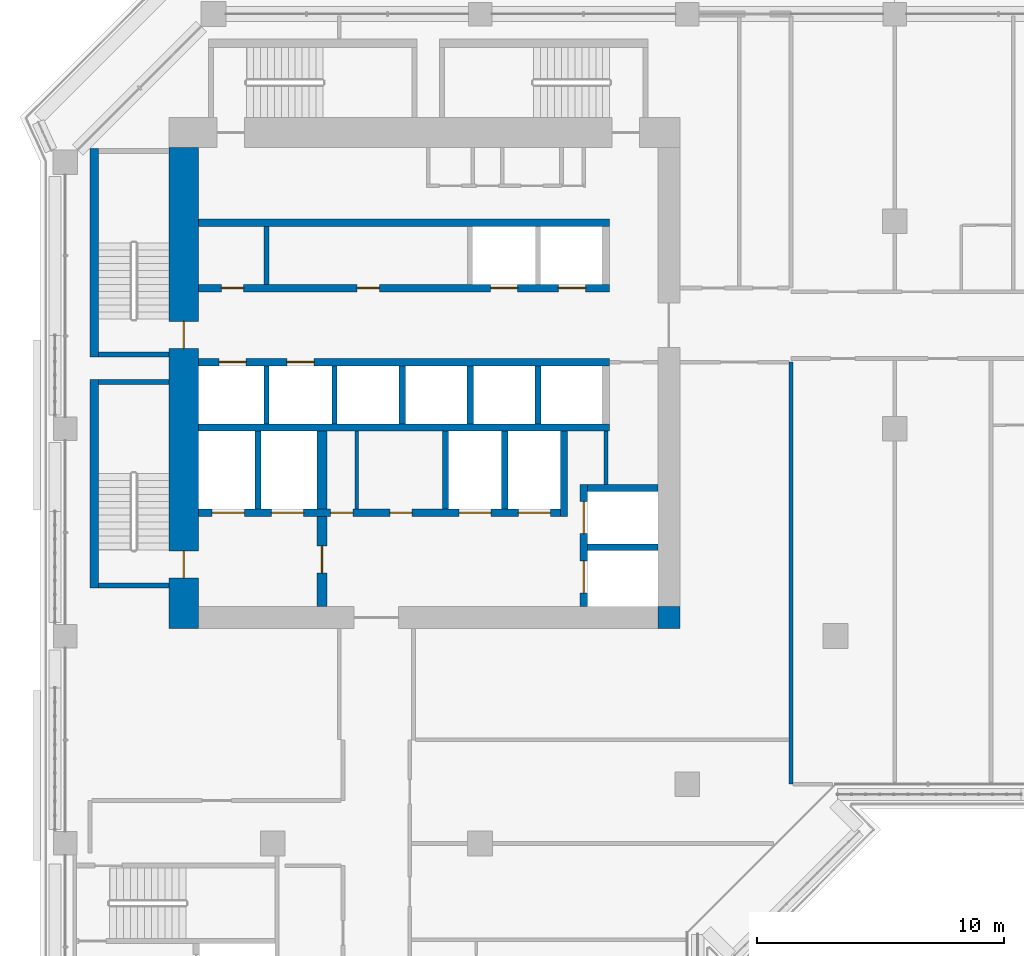
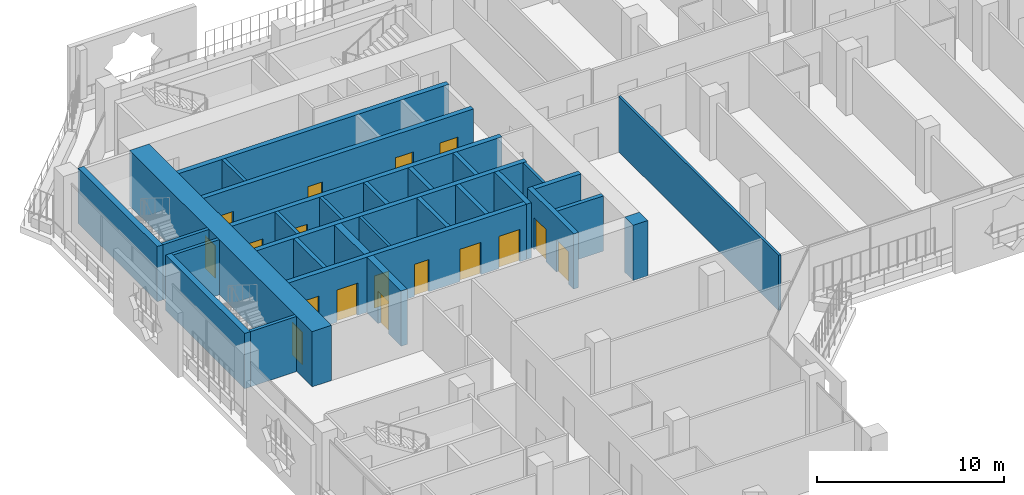
# One storey, part 11 of 21: 30 walls, 17 doors, 17 openings.
"""IFC4 building model written with IfcOpenShell, lengths in metres."""

from ifc_helpers import new_model, si_unit, direction, frame, frame_2d, origin, place, context, subcontext, project, spatial, rectangle, extrude, material, layer, layer_set, type_object, element, fill, save


model = new_model("IFC4")

# Units and contexts
model_context = context("Model", 3, precision=1e-05, world=origin(), true_north=direction((0.0, 1.0)))
body_context = subcontext(model_context, "Body", "Model", "MODEL_VIEW")
ifc_project = project(units=[si_unit("LENGTHUNIT", "METRE"), si_unit("AREAUNIT", "SQUARE_METRE"), si_unit("VOLUMEUNIT", "CUBIC_METRE"), si_unit("PLANEANGLEUNIT", "RADIAN"), si_unit("MASSUNIT", "GRAM", prefix="KILO")], contexts=[model_context])

# Site, building, storey
site_placement = place(None, origin())
site = spatial("IfcSite", under=ifc_project, at=site_placement, CompositionType="ELEMENT")
building_placement = place(site_placement, origin())
building = spatial("IfcBuilding", under=site, at=building_placement, Name="Kawkab Arch Medical Tower", CompositionType="ELEMENT")
storey_placement = place(building_placement, frame((0.0, 0.0, 192.0)))
storey = spatial("IfcBuildingStorey", under=building, at=storey_placement, Name="L44", CompositionType="ELEMENT", Elevation=192.0)

# Wall, openings, doors
ifc_material_1 = material(Name="Concrete C55/67", Category="concrete")
ifc_layer_1 = layer(ifc_material_1, 1.199951171875)
ifc_layer_set_1 = layer_set([ifc_layer_1], Name="Concrete C55/67")
wall_type_1 = type_object("IfcWallType", Name="Core ring wall 1200 C55/67", PredefinedType="SHEAR", material=ifc_layer_set_1)
wall_1_placement = place(storey_placement, frame((4.800048828125, -24.89990234375, 0.0), z_axis=(0.0, 0.0, 1.0), x_axis=(0.0, 1.0, 0.0)))
wall_1 = element("IfcWall", 1, at=wall_1_placement, inside=storey, type_object=wall_type_1, Name="L44 core wall", PredefinedType="SHEAR", context=body_context, shape_type="SweptSolid", body=[
    extrude(rectangle(XDim=19.5, YDim=1.199951171875, at=frame_2d((9.75, 0.0))), origin(), (0.0, 0.0, 1.0), 3.60009765625),
])
opening_1_placement = place(wall_1_placement, frame((11.35009765625, 0.0, 0.0)))
opening_1 = element("IfcOpeningElement", 2, at=opening_1_placement, cuts=wall_1, Name="Opening SD", PredefinedType="OPENING", context=body_context, shape_type="SweptSolid", body=[
    extrude(rectangle(XDim=1.10009765625, YDim=2.10009765625, at=frame_2d((0.550048828125, 1.050048828125))), frame((0.0, 0.60986328125, 0.0), z_axis=(0.0, -1.0, 0.0), x_axis=(1.0, 0.0, 0.0)), (0.0, 0.0, 1.0), 1.219970703125),
])
opening_2_placement = place(wall_1_placement, frame((2.050048828125, 0.0, 0.0)))
opening_2 = element("IfcOpeningElement", 3, at=opening_2_placement, cuts=wall_1, Name="Opening SD", PredefinedType="OPENING", context=body_context, shape_type="SweptSolid", body=[
    extrude(rectangle(XDim=1.10009765625, YDim=2.10009765625, at=frame_2d((0.550048828125, 1.050048828125))), frame((0.0, 0.60986328125, 0.0), z_axis=(0.0, -1.0, 0.0), x_axis=(1.0, 0.0, 0.0)), (0.0, 0.0, 1.0), 1.219970703125),
])
ifc_material_2 = material(Name="Hollow metal fire door leaf")
door_type_1 = type_object("IfcDoorType", Name="Exit stair door 1100", OperationType="SINGLE_SWING_LEFT", PredefinedType="DOOR", material=ifc_material_2)
door_1_placement = place(opening_1_placement, origin())
door_1 = element("IfcDoor", 4, at=door_1_placement, inside=storey, type_object=door_type_1, Name="L44 Exit stair ST1 door", OperationType="SINGLE_SWING_LEFT", OverallHeight=2.10009765625, OverallWidth=1.10009765625, PredefinedType="DOOR", context=body_context, shape_type="SweptSolid", body=[
    extrude(rectangle(XDim=1.10009765625, YDim=2.10009765625, at=frame_2d((0.550048828125, 1.050048828125))), frame((0.0, 0.02490234375, 0.0), z_axis=(0.0, -1.0, 0.0), x_axis=(1.0, 0.0, 0.0)), (0.0, 0.0, 1.0), 0.050048828125),
])
fill(opening_1, door_1)
door_2_placement = place(opening_2_placement, origin())
door_2 = element("IfcDoor", 5, at=door_2_placement, inside=storey, type_object=door_type_1, Name="L44 Exit stair ST2 door", OperationType="SINGLE_SWING_LEFT", OverallHeight=2.10009765625, OverallWidth=1.10009765625, PredefinedType="DOOR", context=body_context, shape_type="SweptSolid", body=[
    extrude(rectangle(XDim=1.10009765625, YDim=2.10009765625, at=frame_2d((0.550048828125, 1.050048828125))), frame((0.0, 0.02490234375, 0.0), z_axis=(0.0, -1.0, 0.0), x_axis=(1.0, 0.0, 0.0)), (0.0, 0.0, 1.0), 0.050048828125),
])
fill(opening_2, door_2)

# Walls
ifc_material_3 = material(Name="Concrete C55/67", Category="concrete")
ifc_layer_2 = layer(ifc_material_3, 0.89990234375)
ifc_layer_set_2 = layer_set([ifc_layer_2], Name="Concrete C55/67")
wall_type_2 = type_object("IfcWallType", Name="Core ring wall 900 C55/67", PredefinedType="SHEAR", material=ifc_layer_set_2)
wall_2_placement = place(storey_placement, frame((24.449951171875, -24.89990234375, 0.0), z_axis=(0.0, 0.0, 1.0), x_axis=(0.0, 1.0, 0.0)))
element("IfcWall", 6, at=wall_2_placement, inside=storey, type_object=wall_type_2, Name="L44 core wall", PredefinedType="SHEAR", context=body_context, shape_type="SweptSolid", body=[
    extrude(rectangle(XDim=0.89990234375, YDim=0.89990234375, at=frame_2d((0.449951171875, 0.0))), origin(), (0.0, 0.0, 1.0), 3.60009765625),
])
ifc_material_4 = material(Name="Gypsum board on steel studs", Category="steel")
ifc_layer_3 = layer(ifc_material_4, 0.14990234375)
ifc_layer_set_3 = layer_set([ifc_layer_3], Name="Gypsum board on steel studs")
wall_type_3 = type_object("IfcWallType", Name="Core room partition 150", PredefinedType="PARTITIONING", material=ifc_layer_set_3)
wall_3_placement = place(storey_placement, frame((21.89990234375, -19.050048828125, 0.0), z_axis=(0.0, 0.0, 1.0), x_axis=(0.0, 1.0, 0.0)))
element("IfcWall", 7, at=wall_3_placement, inside=storey, type_object=wall_type_3, Name="L44 core room partition", PredefinedType="PARTITIONING", context=body_context, shape_type="SweptSolid", body=[
    extrude(rectangle(XDim=2.150146484375, YDim=0.14990234375, at=frame_2d((1.0751953125, 0.0))), origin(), (0.0, 0.0, 1.0), 3.60009765625),
])
wall_4_placement = place(storey_placement, frame((11.800048828125, -20.050048828125, 0.0), z_axis=(0.0, 0.0, 1.0), x_axis=(0.0, 1.0, 0.0)))
element("IfcWall", 8, at=wall_4_placement, inside=storey, type_object=wall_type_3, Name="L44 core room partition", PredefinedType="PARTITIONING", context=body_context, shape_type="SweptSolid", body=[
    extrude(rectangle(XDim=3.150146484375, YDim=0.14990234375, at=frame_2d((1.5751953125, 0.0))), origin(), (0.0, 0.0, 1.0), 3.60009765625),
])
ifc_material_5 = material(Name="Concrete C60/75", Category="concrete")
ifc_layer_4 = layer(ifc_material_5, 0.25)
ifc_layer_set_4 = layer_set([ifc_layer_4], Name="Concrete C60/75")
wall_type_4 = type_object("IfcWallType", Name="Core shear wall 250 C60/75", PredefinedType="SHEAR", material=ifc_layer_set_4)
wall_5_placement = place(storey_placement, frame((21.14990234375, -21.60009765625, 0.0), z_axis=(0.0, 0.0, 1.0), x_axis=(1.0, 0.0, 0.0)))
element("IfcWall", 9, at=wall_5_placement, inside=storey, type_object=wall_type_4, Name="L44 core shear wall", PredefinedType="SHEAR", context=body_context, shape_type="SweptSolid", body=[
    extrude(rectangle(XDim=2.85009765625, YDim=0.25, at=frame_2d((1.425048828125, 0.0))), origin(), (0.0, 0.0, 1.0), 3.60009765625),
])
for number, where, z_axis, x_axis, name in (
    (10, (7.800048828125, -20.050048828125, 0.0), (0.0, 0.0, 1.0), (0.0, 1.0, 0.0), "L44 core shear wall"),
    (11, (15.39990234375, -20.050048828125, 0.0), (0.0, 0.0, 1.0), (0.0, 1.0, 0.0), "L44 core shear wall"),
    (12, (17.800048828125, -20.050048828125, 0.0), (0.0, 0.0, 1.0), (0.0, 1.0, 0.0), "L44 core shear wall"),
):
    element("IfcWall", number, at=place(storey_placement, frame(where, z_axis=z_axis, x_axis=x_axis)), inside=storey, type_object=wall_type_4, Name=name, PredefinedType="SHEAR", context=body_context, shape_type="SweptSolid", body=[
        extrude(rectangle(XDim=3.150146484375, YDim=0.25, at=frame_2d((1.5751953125, 0.0))), origin(), (0.0, 0.0, 1.0), 3.60009765625),
    ])
for number, where, z_axis, x_axis, name in (
    (13, (13.64990234375, -16.60009765625, 0.0), (0.0, 0.0, 1.0), (0.0, 1.0, 0.0), "L44 core shear wall"),
    (14, (16.39990234375, -16.60009765625, 0.0), (0.0, 0.0, 1.0), (0.0, 1.0, 0.0), "L44 core shear wall"),
    (15, (19.14990234375, -16.60009765625, 0.0), (0.0, 0.0, 1.0), (0.0, 1.0, 0.0), "L44 core shear wall"),
):
    element("IfcWall", number, at=place(storey_placement, frame(where, z_axis=z_axis, x_axis=x_axis)), inside=storey, type_object=wall_type_4, Name=name, PredefinedType="SHEAR", context=body_context, shape_type="SweptSolid", body=[
        extrude(rectangle(XDim=2.35009765625, YDim=0.25, at=frame_2d((1.175048828125, 0.0))), origin(), (0.0, 0.0, 1.0), 3.60009765625),
    ])
ifc_material_6 = material(Name="Concrete C60/75", Category="concrete")
ifc_layer_5 = layer(ifc_material_6, 0.300048828125)
ifc_layer_set_5 = layer_set([ifc_layer_5], Name="Concrete C60/75")
wall_type_5 = type_object("IfcWallType", Name="Core shear wall 300 C60/75", PredefinedType="SHEAR", material=ifc_layer_set_5)
wall_6_placement = place(storey_placement, frame((5.39990234375, -8.449951171875, 0.0), z_axis=(0.0, 0.0, 1.0), x_axis=(1.0, 0.0, 0.0)))
element("IfcWall", 16, at=wall_6_placement, inside=storey, type_object=wall_type_5, Name="L44 core shear wall", PredefinedType="SHEAR", context=body_context, shape_type="SweptSolid", body=[
    extrude(rectangle(XDim=16.650146484375, YDim=0.300048828125, at=frame_2d((8.3251953125, 0.0))), origin(), (0.0, 0.0, 1.0), 3.60009765625),
])

# Wall, openings, doors
wall_7_placement = place(storey_placement, frame((5.39990234375, -11.10009765625, 0.0), z_axis=(0.0, 0.0, 1.0), x_axis=(1.0, 0.0, 0.0)))
wall_7 = element("IfcWall", 17, at=wall_7_placement, inside=storey, type_object=wall_type_5, Name="L44 core shear wall", PredefinedType="SHEAR", context=body_context, shape_type="SweptSolid", body=[
    extrude(rectangle(XDim=16.650146484375, YDim=0.300048828125, at=frame_2d((8.3251953125, 0.0))), origin(), (0.0, 0.0, 1.0), 3.60009765625),
])
opening_3_placement = place(wall_7_placement, frame((11.824951171875, 0.0, 0.0)))
opening_3 = element("IfcOpeningElement", 18, at=opening_3_placement, cuts=wall_7, Name="Opening LD1", PredefinedType="OPENING", context=body_context, shape_type="SweptSolid", body=[
    extrude(rectangle(XDim=1.10009765625, YDim=2.10009765625, at=frame_2d((0.550048828125, 1.050048828125))), frame((0.0, 0.159912109375, 0.0), z_axis=(0.0, -1.0, 0.0), x_axis=(1.0, 0.0, 0.0)), (0.0, 0.0, 1.0), 0.320068359375),
])
opening_4_placement = place(wall_7_placement, frame((14.574951171875, 0.0, 0.0)))
opening_4 = element("IfcOpeningElement", 19, at=opening_4_placement, cuts=wall_7, Name="Opening LD1", PredefinedType="OPENING", context=body_context, shape_type="SweptSolid", body=[
    extrude(rectangle(XDim=1.10009765625, YDim=2.10009765625, at=frame_2d((0.550048828125, 1.050048828125))), frame((0.0, 0.159912109375, 0.0), z_axis=(0.0, -1.0, 0.0), x_axis=(1.0, 0.0, 0.0)), (0.0, 0.0, 1.0), 0.320068359375),
])
opening_5_placement = place(wall_7_placement, frame((0.925048828125, 0.0, 0.0)))
opening_5 = element("IfcOpeningElement", 20, at=opening_5_placement, cuts=wall_7, Name="Opening RD", PredefinedType="OPENING", context=body_context, shape_type="SweptSolid", body=[
    extrude(rectangle(XDim=0.89990234375, YDim=2.10009765625, at=frame_2d((0.449951171875, 1.050048828125))), frame((0.0, 0.159912109375, 0.0), z_axis=(0.0, -1.0, 0.0), x_axis=(1.0, 0.0, 0.0)), (0.0, 0.0, 1.0), 0.320068359375),
])
opening_6_placement = place(wall_7_placement, frame((6.425048828125, 0.0, 0.0)))
opening_6 = element("IfcOpeningElement", 21, at=opening_6_placement, cuts=wall_7, Name="Opening RD", PredefinedType="OPENING", context=body_context, shape_type="SweptSolid", body=[
    extrude(rectangle(XDim=0.89990234375, YDim=2.10009765625, at=frame_2d((0.449951171875, 1.050048828125))), frame((0.0, 0.159912109375, 0.0), z_axis=(0.0, -1.0, 0.0), x_axis=(1.0, 0.0, 0.0)), (0.0, 0.0, 1.0), 0.320068359375),
])
ifc_material_7 = material(Name="Hollow metal fire door leaf")
door_type_2 = type_object("IfcDoorType", Name="Core room door 900", OperationType="SINGLE_SWING_LEFT", PredefinedType="DOOR", material=ifc_material_7)
door_3_placement = place(opening_5_placement, origin())
door_3 = element("IfcDoor", 22, at=door_3_placement, inside=storey, type_object=door_type_2, Name="L44 Linen store door", OperationType="SINGLE_SWING_LEFT", OverallHeight=2.10009765625, OverallWidth=0.89990234375, PredefinedType="DOOR", context=body_context, shape_type="SweptSolid", body=[
    extrude(rectangle(XDim=0.89990234375, YDim=2.10009765625, at=frame_2d((0.449951171875, 1.050048828125))), frame((0.0, 0.02490234375, 0.0), z_axis=(0.0, -1.0, 0.0), x_axis=(1.0, 0.0, 0.0)), (0.0, 0.0, 1.0), 0.050048828125),
])
fill(opening_5, door_3)
door_4_placement = place(opening_6_placement, origin())
door_4 = element("IfcDoor", 23, at=door_4_placement, inside=storey, type_object=door_type_2, Name="L44 Housekeeping store door", OperationType="SINGLE_SWING_LEFT", OverallHeight=2.10009765625, OverallWidth=0.89990234375, PredefinedType="DOOR", context=body_context, shape_type="SweptSolid", body=[
    extrude(rectangle(XDim=0.89990234375, YDim=2.10009765625, at=frame_2d((0.449951171875, 1.050048828125))), frame((0.0, 0.02490234375, 0.0), z_axis=(0.0, -1.0, 0.0), x_axis=(1.0, 0.0, 0.0)), (0.0, 0.0, 1.0), 0.050048828125),
])
fill(opening_6, door_4)
ifc_material_8 = material(Name="Stainless steel lift door leaf", Category="steel")
door_type_3 = type_object("IfcDoorType", Name="Lift landing door 1100", OperationType="DOUBLE_DOOR_SLIDING", PredefinedType="DOOR", material=ifc_material_8)
door_5_placement = place(opening_3_placement, origin())
door_5 = element("IfcDoor", 24, at=door_5_placement, inside=storey, type_object=door_type_3, Name="L44 Lift landing door MP1", OperationType="DOUBLE_DOOR_SLIDING", OverallHeight=2.10009765625, OverallWidth=1.10009765625, PredefinedType="DOOR", context=body_context, shape_type="SweptSolid", body=[
    extrude(rectangle(XDim=1.10009765625, YDim=2.10009765625, at=frame_2d((0.550048828125, 1.050048828125))), frame((0.0, 0.02490234375, 0.0), z_axis=(0.0, -1.0, 0.0), x_axis=(1.0, 0.0, 0.0)), (0.0, 0.0, 1.0), 0.050048828125),
])
fill(opening_3, door_5)
door_6_placement = place(opening_4_placement, origin())
door_6 = element("IfcDoor", 25, at=door_6_placement, inside=storey, type_object=door_type_3, Name="L44 Lift landing door MP2", OperationType="DOUBLE_DOOR_SLIDING", OverallHeight=2.10009765625, OverallWidth=1.10009765625, PredefinedType="DOOR", context=body_context, shape_type="SweptSolid", body=[
    extrude(rectangle(XDim=1.10009765625, YDim=2.10009765625, at=frame_2d((0.550048828125, 1.050048828125))), frame((0.0, 0.02490234375, 0.0), z_axis=(0.0, -1.0, 0.0), x_axis=(1.0, 0.0, 0.0)), (0.0, 0.0, 1.0), 0.050048828125),
])
fill(opening_4, door_6)

wall_8_placement = place(storey_placement, frame((5.39990234375, -14.10009765625, 0.0), z_axis=(0.0, 0.0, 1.0), x_axis=(1.0, 0.0, 0.0)))
wall_8 = element("IfcWall", 26, at=wall_8_placement, inside=storey, type_object=wall_type_5, Name="L44 core shear wall", PredefinedType="SHEAR", context=body_context, shape_type="SweptSolid", body=[
    extrude(rectangle(XDim=16.650146484375, YDim=0.300048828125, at=frame_2d((8.3251953125, 0.0))), origin(), (0.0, 0.0, 1.0), 3.60009765625),
])
opening_7_placement = place(wall_8_placement, frame((0.824951171875, 0.0, 0.0)))
opening_7 = element("IfcOpeningElement", 27, at=opening_7_placement, cuts=wall_8, Name="Opening LD1", PredefinedType="OPENING", context=body_context, shape_type="SweptSolid", body=[
    extrude(rectangle(XDim=1.10009765625, YDim=2.10009765625, at=frame_2d((0.550048828125, 1.050048828125))), frame((0.0, 0.159912109375, 0.0), z_axis=(0.0, -1.0, 0.0), x_axis=(1.0, 0.0, 0.0)), (0.0, 0.0, 1.0), 0.320068359375),
])
opening_8_placement = place(wall_8_placement, frame((3.574951171875, 0.0, 0.0)))
opening_8 = element("IfcOpeningElement", 28, at=opening_8_placement, cuts=wall_8, Name="Opening LD1", PredefinedType="OPENING", context=body_context, shape_type="SweptSolid", body=[
    extrude(rectangle(XDim=1.10009765625, YDim=2.10009765625, at=frame_2d((0.550048828125, 1.050048828125))), frame((0.0, 0.159912109375, 0.0), z_axis=(0.0, -1.0, 0.0), x_axis=(1.0, 0.0, 0.0)), (0.0, 0.0, 1.0), 0.320068359375),
])
door_7_placement = place(opening_7_placement, origin())
door_7 = element("IfcDoor", 29, at=door_7_placement, inside=storey, type_object=door_type_3, Name="L44 Lift landing door MP3", OperationType="DOUBLE_DOOR_SLIDING", OverallHeight=2.10009765625, OverallWidth=1.10009765625, PredefinedType="DOOR", context=body_context, shape_type="SweptSolid", body=[
    extrude(rectangle(XDim=1.10009765625, YDim=2.10009765625, at=frame_2d((0.550048828125, 1.050048828125))), frame((0.0, 0.02490234375, 0.0), z_axis=(0.0, -1.0, 0.0), x_axis=(1.0, 0.0, 0.0)), (0.0, 0.0, 1.0), 0.050048828125),
])
fill(opening_7, door_7)
door_8_placement = place(opening_8_placement, origin())
door_8 = element("IfcDoor", 30, at=door_8_placement, inside=storey, type_object=door_type_3, Name="L44 Lift landing door MP4", OperationType="DOUBLE_DOOR_SLIDING", OverallHeight=2.10009765625, OverallWidth=1.10009765625, PredefinedType="DOOR", context=body_context, shape_type="SweptSolid", body=[
    extrude(rectangle(XDim=1.10009765625, YDim=2.10009765625, at=frame_2d((0.550048828125, 1.050048828125))), frame((0.0, 0.02490234375, 0.0), z_axis=(0.0, -1.0, 0.0), x_axis=(1.0, 0.0, 0.0)), (0.0, 0.0, 1.0), 0.050048828125),
])
fill(opening_8, door_8)

# Wall
wall_9_placement = place(storey_placement, frame((5.39990234375, -16.75, 0.0), z_axis=(0.0, 0.0, 1.0), x_axis=(1.0, 0.0, 0.0)))
element("IfcWall", 31, at=wall_9_placement, inside=storey, type_object=wall_type_5, Name="L44 core shear wall", PredefinedType="SHEAR", context=body_context, shape_type="SweptSolid", body=[
    extrude(rectangle(XDim=16.650146484375, YDim=0.300048828125, at=frame_2d((8.3251953125, 0.0))), origin(), (0.0, 0.0, 1.0), 3.60009765625),
])

# Wall, openings, doors
wall_10_placement = place(storey_placement, frame((5.39990234375, -20.199951171875, 0.0), z_axis=(0.0, 0.0, 1.0), x_axis=(1.0, 0.0, 0.0)))
wall_10 = element("IfcWall", 32, at=wall_10_placement, inside=storey, type_object=wall_type_5, Name="L44 core shear wall", PredefinedType="SHEAR", context=body_context, shape_type="SweptSolid", body=[
    extrude(rectangle(XDim=14.650146484375, YDim=0.300048828125, at=frame_2d((7.3251953125, 0.0))), origin(), (0.0, 0.0, 1.0), 3.60009765625),
])
opening_9_placement = place(wall_10_placement, frame((10.550048828125, 0.0, 0.0)))
opening_9 = element("IfcOpeningElement", 33, at=opening_9_placement, cuts=wall_10, Name="Opening LD2", PredefinedType="OPENING", context=body_context, shape_type="SweptSolid", body=[
    extrude(rectangle(XDim=1.300048828125, YDim=2.10009765625, at=frame_2d((0.64990234375, 1.050048828125))), frame((0.0, 0.159912109375, 0.0), z_axis=(0.0, -1.0, 0.0), x_axis=(1.0, 0.0, 0.0)), (0.0, 0.0, 1.0), 0.320068359375),
])
opening_10_placement = place(wall_10_placement, frame((12.949951171875, 0.0, 0.0)))
opening_10 = element("IfcOpeningElement", 34, at=opening_10_placement, cuts=wall_10, Name="Opening LD2", PredefinedType="OPENING", context=body_context, shape_type="SweptSolid", body=[
    extrude(rectangle(XDim=1.300048828125, YDim=2.10009765625, at=frame_2d((0.64990234375, 1.050048828125))), frame((0.0, 0.159912109375, 0.0), z_axis=(0.0, -1.0, 0.0), x_axis=(1.0, 0.0, 0.0)), (0.0, 0.0, 1.0), 0.320068359375),
])
opening_11_placement = place(wall_10_placement, frame((0.550048828125, 0.0, 0.0)))
opening_11 = element("IfcOpeningElement", 35, at=opening_11_placement, cuts=wall_10, Name="Opening LD2", PredefinedType="OPENING", context=body_context, shape_type="SweptSolid", body=[
    extrude(rectangle(XDim=1.300048828125, YDim=2.10009765625, at=frame_2d((0.64990234375, 1.050048828125))), frame((0.0, 0.159912109375, 0.0), z_axis=(0.0, -1.0, 0.0), x_axis=(1.0, 0.0, 0.0)), (0.0, 0.0, 1.0), 0.320068359375),
])
opening_12_placement = place(wall_10_placement, frame((2.949951171875, 0.0, 0.0)))
opening_12 = element("IfcOpeningElement", 36, at=opening_12_placement, cuts=wall_10, Name="Opening LD2", PredefinedType="OPENING", context=body_context, shape_type="SweptSolid", body=[
    extrude(rectangle(XDim=1.300048828125, YDim=2.10009765625, at=frame_2d((0.64990234375, 1.050048828125))), frame((0.0, 0.159912109375, 0.0), z_axis=(0.0, -1.0, 0.0), x_axis=(1.0, 0.0, 0.0)), (0.0, 0.0, 1.0), 0.320068359375),
])
opening_13_placement = place(wall_10_placement, frame((5.35009765625, 0.0, 0.0)))
opening_13 = element("IfcOpeningElement", 37, at=opening_13_placement, cuts=wall_10, Name="Opening RD", PredefinedType="OPENING", context=body_context, shape_type="SweptSolid", body=[
    extrude(rectangle(XDim=0.89990234375, YDim=2.10009765625, at=frame_2d((0.449951171875, 1.050048828125))), frame((0.0, 0.159912109375, 0.0), z_axis=(0.0, -1.0, 0.0), x_axis=(1.0, 0.0, 0.0)), (0.0, 0.0, 1.0), 0.320068359375),
])
opening_14_placement = place(wall_10_placement, frame((7.75, 0.0, 0.0)))
opening_14 = element("IfcOpeningElement", 38, at=opening_14_placement, cuts=wall_10, Name="Opening RD", PredefinedType="OPENING", context=body_context, shape_type="SweptSolid", body=[
    extrude(rectangle(XDim=0.89990234375, YDim=2.10009765625, at=frame_2d((0.449951171875, 1.050048828125))), frame((0.0, 0.159912109375, 0.0), z_axis=(0.0, -1.0, 0.0), x_axis=(1.0, 0.0, 0.0)), (0.0, 0.0, 1.0), 0.320068359375),
])
door_9_placement = place(opening_13_placement, origin())
door_9 = element("IfcDoor", 39, at=door_9_placement, inside=storey, type_object=door_type_2, Name="L44 Equipment store door", OperationType="SINGLE_SWING_LEFT", OverallHeight=2.10009765625, OverallWidth=0.89990234375, PredefinedType="DOOR", context=body_context, shape_type="SweptSolid", body=[
    extrude(rectangle(XDim=0.89990234375, YDim=2.10009765625, at=frame_2d((0.449951171875, 1.050048828125))), frame((0.0, 0.02490234375, 0.0), z_axis=(0.0, -1.0, 0.0), x_axis=(1.0, 0.0, 0.0)), (0.0, 0.0, 1.0), 0.050048828125),
])
fill(opening_13, door_9)
door_10_placement = place(opening_14_placement, origin())
door_10 = element("IfcDoor", 40, at=door_10_placement, inside=storey, type_object=door_type_2, Name="L44 Medication store door", OperationType="SINGLE_SWING_LEFT", OverallHeight=2.10009765625, OverallWidth=0.89990234375, PredefinedType="DOOR", context=body_context, shape_type="SweptSolid", body=[
    extrude(rectangle(XDim=0.89990234375, YDim=2.10009765625, at=frame_2d((0.449951171875, 1.050048828125))), frame((0.0, 0.02490234375, 0.0), z_axis=(0.0, -1.0, 0.0), x_axis=(1.0, 0.0, 0.0)), (0.0, 0.0, 1.0), 0.050048828125),
])
fill(opening_14, door_10)
ifc_material_9 = material(Name="Stainless steel lift door leaf", Category="steel")
door_type_4 = type_object("IfcDoorType", Name="Lift landing door 1300", OperationType="DOUBLE_DOOR_SLIDING", PredefinedType="DOOR", material=ifc_material_9)
door_11_placement = place(opening_9_placement, origin())
door_11 = element("IfcDoor", 41, at=door_11_placement, inside=storey, type_object=door_type_4, Name="L44 Lift landing door BD3", OperationType="DOUBLE_DOOR_SLIDING", OverallHeight=2.10009765625, OverallWidth=1.300048828125, PredefinedType="DOOR", context=body_context, shape_type="SweptSolid", body=[
    extrude(rectangle(XDim=1.300048828125, YDim=2.10009765625, at=frame_2d((0.64990234375, 1.050048828125))), frame((0.0, 0.02490234375, 0.0), z_axis=(0.0, -1.0, 0.0), x_axis=(1.0, 0.0, 0.0)), (0.0, 0.0, 1.0), 0.050048828125),
])
fill(opening_9, door_11)
door_12_placement = place(opening_10_placement, origin())
door_12 = element("IfcDoor", 42, at=door_12_placement, inside=storey, type_object=door_type_4, Name="L44 Lift landing door BD4", OperationType="DOUBLE_DOOR_SLIDING", OverallHeight=2.10009765625, OverallWidth=1.300048828125, PredefinedType="DOOR", context=body_context, shape_type="SweptSolid", body=[
    extrude(rectangle(XDim=1.300048828125, YDim=2.10009765625, at=frame_2d((0.64990234375, 1.050048828125))), frame((0.0, 0.02490234375, 0.0), z_axis=(0.0, -1.0, 0.0), x_axis=(1.0, 0.0, 0.0)), (0.0, 0.0, 1.0), 0.050048828125),
])
fill(opening_10, door_12)
door_13_placement = place(opening_11_placement, origin())
door_13 = element("IfcDoor", 43, at=door_13_placement, inside=storey, type_object=door_type_4, Name="L44 Lift landing door FL1", OperationType="DOUBLE_DOOR_SLIDING", OverallHeight=2.10009765625, OverallWidth=1.300048828125, PredefinedType="DOOR", context=body_context, shape_type="SweptSolid", body=[
    extrude(rectangle(XDim=1.300048828125, YDim=2.10009765625, at=frame_2d((0.64990234375, 1.050048828125))), frame((0.0, 0.02490234375, 0.0), z_axis=(0.0, -1.0, 0.0), x_axis=(1.0, 0.0, 0.0)), (0.0, 0.0, 1.0), 0.050048828125),
])
fill(opening_11, door_13)
door_14_placement = place(opening_12_placement, origin())
door_14 = element("IfcDoor", 44, at=door_14_placement, inside=storey, type_object=door_type_4, Name="L44 Lift landing door FL2", OperationType="DOUBLE_DOOR_SLIDING", OverallHeight=2.10009765625, OverallWidth=1.300048828125, PredefinedType="DOOR", context=body_context, shape_type="SweptSolid", body=[
    extrude(rectangle(XDim=1.300048828125, YDim=2.10009765625, at=frame_2d((0.64990234375, 1.050048828125))), frame((0.0, 0.02490234375, 0.0), z_axis=(0.0, -1.0, 0.0), x_axis=(1.0, 0.0, 0.0)), (0.0, 0.0, 1.0), 0.050048828125),
])
fill(opening_12, door_14)

# Walls
wall_11_placement = place(storey_placement, frame((20.199951171875, -20.35009765625, 0.0), z_axis=(0.0, 0.0, 1.0), x_axis=(0.0, 1.0, 0.0)))
element("IfcWall", 45, at=wall_11_placement, inside=storey, type_object=wall_type_5, Name="L44 core shear wall", PredefinedType="SHEAR", context=body_context, shape_type="SweptSolid", body=[
    extrude(rectangle(XDim=3.4501953125, YDim=0.300048828125, at=frame_2d((1.72509765625, 0.0))), origin(), (0.0, 0.0, 1.0), 3.60009765625),
])
wall_12_placement = place(storey_placement, frame((21.14990234375, -19.199951171875, 0.0), z_axis=(0.0, 0.0, 1.0), x_axis=(1.0, 0.0, 0.0)))
element("IfcWall", 46, at=wall_12_placement, inside=storey, type_object=wall_type_5, Name="L44 core shear wall", PredefinedType="SHEAR", context=body_context, shape_type="SweptSolid", body=[
    extrude(rectangle(XDim=2.85009765625, YDim=0.300048828125, at=frame_2d((1.425048828125, 0.0))), origin(), (0.0, 0.0, 1.0), 3.60009765625),
])

# Wall, openings, doors
wall_13_placement = place(storey_placement, frame((21.0, -24.0, 0.0), z_axis=(0.0, 0.0, 1.0), x_axis=(0.0, 1.0, 0.0)))
wall_13 = element("IfcWall", 47, at=wall_13_placement, inside=storey, type_object=wall_type_5, Name="L44 core shear wall", PredefinedType="SHEAR", context=body_context, shape_type="SweptSolid", body=[
    extrude(rectangle(XDim=4.949951171875, YDim=0.300048828125, at=frame_2d((2.47509765625, 0.0))), origin(), (0.0, 0.0, 1.0), 3.60009765625),
])
opening_15_placement = place(wall_13_placement, frame((2.949951171875, 0.0, 0.0)))
opening_15 = element("IfcOpeningElement", 48, at=opening_15_placement, cuts=wall_13, Name="Opening LD2", PredefinedType="OPENING", context=body_context, shape_type="SweptSolid", body=[
    extrude(rectangle(XDim=1.300048828125, YDim=2.10009765625, at=frame_2d((0.64990234375, 1.050048828125))), frame((0.0, 0.159912109375, 0.0), z_axis=(0.0, -1.0, 0.0), x_axis=(1.0, 0.0, 0.0)), (0.0, 0.0, 1.0), 0.320068359375),
])
opening_16_placement = place(wall_13_placement, frame((0.550048828125, 0.0, 0.0)))
opening_16 = element("IfcOpeningElement", 49, at=opening_16_placement, cuts=wall_13, Name="Opening LD2", PredefinedType="OPENING", context=body_context, shape_type="SweptSolid", body=[
    extrude(rectangle(XDim=1.300048828125, YDim=2.10009765625, at=frame_2d((0.64990234375, 1.050048828125))), frame((0.0, 0.159912109375, 0.0), z_axis=(0.0, -1.0, 0.0), x_axis=(1.0, 0.0, 0.0)), (0.0, 0.0, 1.0), 0.320068359375),
])
door_15_placement = place(opening_15_placement, origin())
door_15 = element("IfcDoor", 50, at=door_15_placement, inside=storey, type_object=door_type_4, Name="L44 Lift landing door BD1", OperationType="DOUBLE_DOOR_SLIDING", OverallHeight=2.10009765625, OverallWidth=1.300048828125, PredefinedType="DOOR", context=body_context, shape_type="SweptSolid", body=[
    extrude(rectangle(XDim=1.300048828125, YDim=2.10009765625, at=frame_2d((0.64990234375, 1.050048828125))), frame((0.0, 0.02490234375, 0.0), z_axis=(0.0, -1.0, 0.0), x_axis=(1.0, 0.0, 0.0)), (0.0, 0.0, 1.0), 0.050048828125),
])
fill(opening_15, door_15)
door_16_placement = place(opening_16_placement, origin())
door_16 = element("IfcDoor", 51, at=door_16_placement, inside=storey, type_object=door_type_4, Name="L44 Lift landing door BD2", OperationType="DOUBLE_DOOR_SLIDING", OverallHeight=2.10009765625, OverallWidth=1.300048828125, PredefinedType="DOOR", context=body_context, shape_type="SweptSolid", body=[
    extrude(rectangle(XDim=1.300048828125, YDim=2.10009765625, at=frame_2d((0.64990234375, 1.050048828125))), frame((0.0, 0.02490234375, 0.0), z_axis=(0.0, -1.0, 0.0), x_axis=(1.0, 0.0, 0.0)), (0.0, 0.0, 1.0), 0.050048828125),
])
fill(opening_16, door_16)

# Wall, opening, door
ifc_material_10 = material(Name="Concrete C60/75", Category="concrete")
ifc_layer_6 = layer(ifc_material_10, 0.39990234375)
ifc_layer_set_6 = layer_set([ifc_layer_6], Name="Concrete C60/75")
wall_type_6 = type_object("IfcWallType", Name="Core shear wall 400 C60/75", PredefinedType="SHEAR", material=ifc_layer_set_6)
wall_14_placement = place(storey_placement, frame((10.39990234375, -24.0, 0.0), z_axis=(0.0, 0.0, 1.0), x_axis=(0.0, 1.0, 0.0)))
wall_14 = element("IfcWall", 52, at=wall_14_placement, inside=storey, type_object=wall_type_6, Name="L44 core shear wall", PredefinedType="SHEAR", context=body_context, shape_type="SweptSolid", body=[
    extrude(rectangle(XDim=3.64990234375, YDim=0.39990234375, at=frame_2d((1.824951171875, 0.0))), origin(), (0.0, 0.0, 1.0), 3.60009765625),
])
opening_17_placement = place(wall_14_placement, frame((1.35009765625, 0.0, 0.0)))
opening_17 = element("IfcOpeningElement", 53, at=opening_17_placement, cuts=wall_14, Name="Opening FD", PredefinedType="OPENING", context=body_context, shape_type="SweptSolid", body=[
    extrude(rectangle(XDim=1.10009765625, YDim=2.10009765625, at=frame_2d((0.550048828125, 1.050048828125))), frame((0.0, 0.2099609375, 0.0), z_axis=(0.0, -1.0, 0.0), x_axis=(1.0, 0.0, 0.0)), (0.0, 0.0, 1.0), 0.419921875),
])
ifc_material_11 = material(Name="Hollow metal fire door leaf")
door_type_5 = type_object("IfcDoorType", Name="Firefighting lobby door 1100", OperationType="SINGLE_SWING_LEFT", PredefinedType="DOOR", material=ifc_material_11)
door_17_placement = place(opening_17_placement, origin())
door_17 = element("IfcDoor", 54, at=door_17_placement, inside=storey, type_object=door_type_5, Name="L44 Firefighting lobby door", OperationType="SINGLE_SWING_LEFT", OverallHeight=2.10009765625, OverallWidth=1.10009765625, PredefinedType="DOOR", context=body_context, shape_type="SweptSolid", body=[
    extrude(rectangle(XDim=1.10009765625, YDim=2.10009765625, at=frame_2d((0.550048828125, 1.050048828125))), frame((0.0, 0.02490234375, 0.0), z_axis=(0.0, -1.0, 0.0), x_axis=(1.0, 0.0, 0.0)), (0.0, 0.0, 1.0), 0.050048828125),
])
fill(opening_17, door_17)

# Walls
wall_15_placement = place(storey_placement, frame((10.39990234375, -20.050048828125, 0.0), z_axis=(0.0, 0.0, 1.0), x_axis=(0.0, 1.0, 0.0)))
element("IfcWall", 55, at=wall_15_placement, inside=storey, type_object=wall_type_6, Name="L44 core shear wall", PredefinedType="SHEAR", context=body_context, shape_type="SweptSolid", body=[
    extrude(rectangle(XDim=3.150146484375, YDim=0.39990234375, at=frame_2d((1.5751953125, 0.0))), origin(), (0.0, 0.0, 1.0), 3.60009765625),
])
ifc_material_12 = material(Name="Dense concrete blockwork", Category="masonry")
ifc_layer_7 = layer(ifc_material_12, 0.199951171875)
ifc_layer_set_7 = layer_set([ifc_layer_7], Name="Dense concrete blockwork")
wall_type_7 = type_object("IfcWallType", Name="Lift shaft partition 200", PredefinedType="PARTITIONING", material=ifc_layer_set_7)
wall_16_placement = place(storey_placement, frame((8.14990234375, -10.949951171875, 0.0), z_axis=(0.0, 0.0, 1.0), x_axis=(0.0, 1.0, 0.0)))
element("IfcWall", 56, at=wall_16_placement, inside=storey, type_object=wall_type_7, Name="L44 lift shaft partition", PredefinedType="PARTITIONING", context=body_context, shape_type="SweptSolid", body=[
    extrude(rectangle(XDim=2.349853515625, YDim=0.199951171875, at=frame_2d((1.1748046875, 0.0))), origin(), (0.0, 0.0, 1.0), 3.60009765625),
])
for number, where, z_axis, x_axis, name in (
    (57, (8.14990234375, -16.60009765625, 0.0), (0.0, 0.0, 1.0), (0.0, 1.0, 0.0), "L44 lift shaft partition"),
    (58, (10.89990234375, -16.60009765625, 0.0), (0.0, 0.0, 1.0), (0.0, 1.0, 0.0), "L44 lift shaft partition"),
):
    element("IfcWall", number, at=place(storey_placement, frame(where, z_axis=z_axis, x_axis=x_axis)), inside=storey, type_object=wall_type_7, Name=name, PredefinedType="PARTITIONING", context=body_context, shape_type="SweptSolid", body=[
        extrude(rectangle(XDim=2.35009765625, YDim=0.199951171875, at=frame_2d((1.175048828125, 0.0))), origin(), (0.0, 0.0, 1.0), 3.60009765625),
    ])
ifc_material_13 = material(Name="Gypsum board partition on steel studs, mineral wool", Category="steel")
ifc_layer_8 = layer(ifc_material_13, 0.14990234375)
ifc_layer_set_8 = layer_set([ifc_layer_8], Name="Gypsum board partition on steel studs, mineral wool")
wall_type_8 = type_object("IfcWallType", Name="Partition 150", PredefinedType="PARTITIONING", material=ifc_layer_set_8)
wall_17_placement = place(storey_placement, frame((29.39990234375, -31.197998046875, 0.0), z_axis=(0.0, 0.0, 1.0), x_axis=(0.0, 1.0, 0.0)))
element("IfcWall", 59, at=wall_17_placement, inside=storey, type_object=wall_type_8, Name="Partition 150 w052", PredefinedType="PARTITIONING", context=body_context, shape_type="SweptSolid", body=[
    extrude(rectangle(XDim=17.097900390625, YDim=0.14990234375, at=frame_2d((8.548828125, 0.0))), origin(), (0.0, 0.0, 1.0), 3.60009765625),
])
ifc_material_14 = material(Name="Concrete C50/60", Category="concrete")
ifc_layer_9 = layer(ifc_material_14, 0.199951171875)
ifc_layer_set_9 = layer_set([ifc_layer_9], Name="Concrete C50/60")
wall_type_9 = type_object("IfcWallType", Name="Stair enclosure wall 200 C50/60", PredefinedType="SHEAR", material=ifc_layer_set_9)
for number, where, z_axis, x_axis, name in (
    (60, (1.35009765625, -13.800048828125, 0.0), (0.0, 0.0, 1.0), (1.0, 0.0, 0.0), "L44 stair enclosure wall"),
    (61, (1.35009765625, -14.89990234375, 0.0), (0.0, 0.0, 1.0), (1.0, 0.0, 0.0), "L44 stair enclosure wall"),
    (62, (1.35009765625, -23.14990234375, 0.0), (0.0, 0.0, 1.0), (1.0, 0.0, 0.0), "L44 stair enclosure wall"),
):
    element("IfcWall", number, at=place(storey_placement, frame(where, z_axis=z_axis, x_axis=x_axis)), inside=storey, type_object=wall_type_9, Name=name, PredefinedType="SHEAR", context=body_context, shape_type="SweptSolid", body=[
        extrude(rectangle(XDim=2.849853515625, YDim=0.199951171875, at=frame_2d((1.4248046875, 0.0))), origin(), (0.0, 0.0, 1.0), 3.60009765625),
    ])
ifc_material_15 = material(Name="Concrete C50/60", Category="concrete")
ifc_layer_10 = layer(ifc_material_15, 0.35009765625)
ifc_layer_set_10 = layer_set([ifc_layer_10], Name="Concrete C50/60")
wall_type_10 = type_object("IfcWallType", Name="Stair enclosure wall 350 C50/60", PredefinedType="SHEAR", material=ifc_layer_set_10)
for number, where, z_axis, x_axis, name in (
    (63, (1.175048828125, -13.89990234375, 0.0), (0.0, 0.0, 1.0), (0.0, 1.0, 0.0), "L44 stair enclosure wall"),
    (64, (1.175048828125, -23.25, 0.0), (0.0, 0.0, 1.0), (0.0, 1.0, 0.0), "L44 stair enclosure wall"),
):
    element("IfcWall", number, at=place(storey_placement, frame(where, z_axis=z_axis, x_axis=x_axis)), inside=storey, type_object=wall_type_10, Name=name, PredefinedType="SHEAR", context=body_context, shape_type="SweptSolid", body=[
        extrude(rectangle(XDim=8.449951171875, YDim=0.35009765625, at=frame_2d((4.22509765625, 0.0))), origin(), (0.0, 0.0, 1.0), 3.60009765625),
    ])

save(model, "model.ifc")
